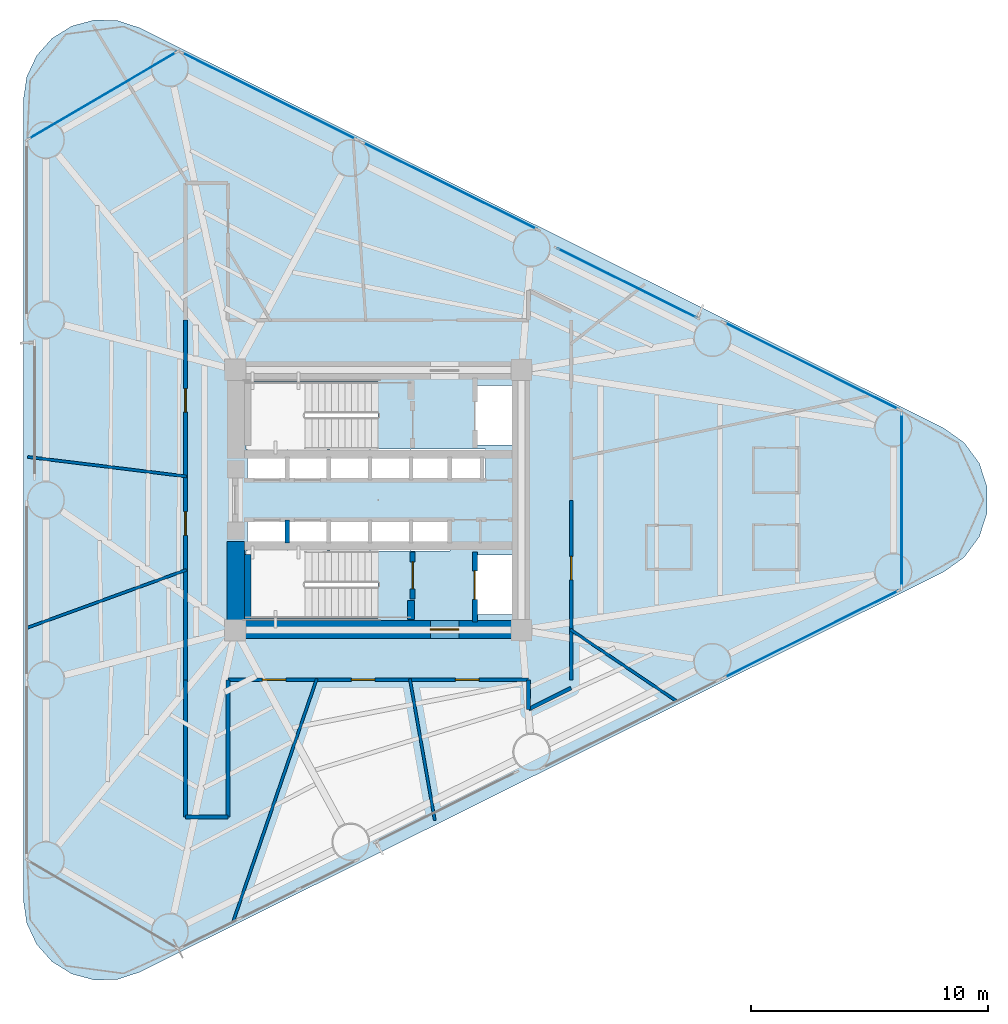
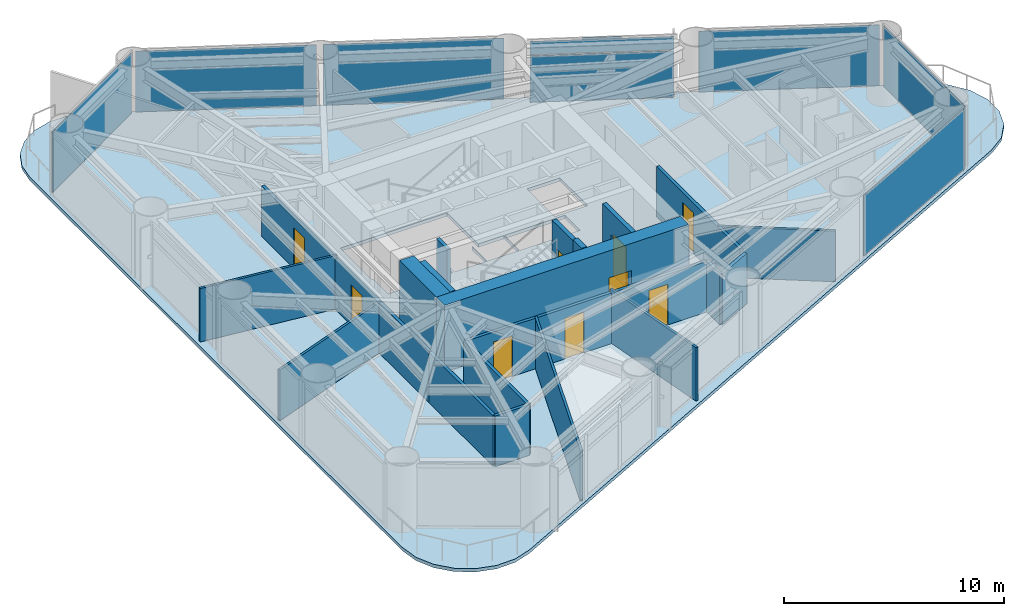
# One storey, part 5 of 11: 20 walls, 9 doors, 9 plates, 1 slab, 9 openings, 7 elements without a shape of their own.
"""IFC4 building model written with IfcOpenShell, lengths in metres."""

from ifc_helpers import new_model, si_unit, direction, frame, frame_2d, origin, origin_2d, place, context, subcontext, project, spatial, polyline, rectangle, outline, extrude, source, transform, mapped, material, layer, layer_set, type_object, element, fill, aggregate, save


model = new_model("IFC4")

# Units and contexts
model_context = context("Model", 3, precision=1e-05, world=origin(), true_north=direction((0.0, 1.0)))
body_context = subcontext(model_context, "Body", "Model", "MODEL_VIEW")
ifc_project = project(units=[si_unit("LENGTHUNIT", "METRE"), si_unit("AREAUNIT", "SQUARE_METRE"), si_unit("VOLUMEUNIT", "CUBIC_METRE"), si_unit("PLANEANGLEUNIT", "RADIAN"), si_unit("MASSUNIT", "GRAM", prefix="KILO")], contexts=[model_context])

# Site, building, storey
site_placement = place(None, origin())
site = spatial("IfcSite", under=ifc_project, at=site_placement, CompositionType="ELEMENT")
building_placement = place(site_placement, origin())
building = spatial("IfcBuilding", under=site, at=building_placement, Name="Yunling Apex Tower", CompositionType="ELEMENT")
storey_placement = place(building_placement, frame((0.0, 0.0, 42.300048828125)))
storey = spatial("IfcBuildingStorey", under=building, at=storey_placement, Name="L12", CompositionType="ELEMENT", Elevation=42.300048828125)

# Slab
ifc_material_1 = material(Name="Concrete C40", Category="concrete")
ifc_layer_1 = layer(ifc_material_1, 0.179931640625)
ifc_layer_set_1 = layer_set([ifc_layer_1], Name="Concrete C40")
slab_type = type_object("IfcSlabType", Name="SL-FLR-1", PredefinedType="FLOOR", material=ifc_layer_set_1)
slab_placement = place(storey_placement, frame((0.0, 0.0, -0.18505859375)))
element("IfcSlab", 1, at=slab_placement, inside=storey, type_object=slab_type, Name="L12 Composite Tower Floor Slab", PredefinedType="FLOOR", context=body_context, shape_type="SweptSolid", body=[
    extrude(outline(polyline([(-15.001953125, -16.909912109375), (-14.859619140625, -17.88330078125), (-14.444580078125, -18.775390625), (-13.79150390625, -19.510986328125), (-12.955078125, -20.029052734375), (-12.00537109375, -20.285888671875), (-11.02197265625, -20.260009765625), (-10.0869140625, -19.953857421875), (23.88818359375, -3.043701171875), (24.76123046875, -2.42041015625), (25.396484375, -1.555908203125), (25.730712890625, -0.536376953125), (25.730712890625, 0.536376953125), (25.396484375, 1.555908203125), (24.76123046875, 2.42041015625), (23.88818359375, 3.043701171875), (-10.0869140625, 19.953857421875), (-11.02197265625, 20.260009765625), (-12.00537109375, 20.285888671875), (-12.955078125, 20.029052734375), (-13.79150390625, 19.510986328125), (-14.444580078125, 18.775390625), (-14.859619140625, 17.88330078125), (-15.001953125, 16.909912109375), (-15.001953125, -16.909912109375)]), holes=[polyline([(5.81005859375, -2.320068359375), (5.81005859375, -4.840087890625), (4.090087890625, -4.840087890625), (4.090087890625, -2.320068359375), (5.81005859375, -2.320068359375)]), polyline([(5.81005859375, 4.840087890625), (5.81005859375, 2.320068359375), (4.090087890625, 2.320068359375), (4.090087890625, 4.840087890625), (5.81005859375, 4.840087890625)]), polyline([(1.364990234375, 2.1650390625), (4.534912109375, 2.1650390625), (4.534912109375, 0.794921875), (1.364990234375, 0.794921875), (1.364990234375, 2.1650390625)]), polyline([(3.034912109375, -0.794921875), (3.034912109375, -2.1650390625), (1.364990234375, -2.1650390625), (1.364990234375, -0.794921875), (3.034912109375, -0.794921875)]), polyline([(-5.534912109375, -0.794921875), (-3.864990234375, -0.794921875), (-3.864990234375, -2.139892578125), (-3.8349609375, -2.139892578125), (-3.8349609375, -0.794921875), (-2.1650390625, -0.794921875), (-2.1650390625, -2.139892578125), (-2.034912109375, -2.139892578125), (-2.034912109375, -0.794921875), (-0.364990234375, -0.794921875), (-0.364990234375, -2.139892578125), (-0.3349609375, -2.139892578125), (-0.3349609375, -0.794921875), (1.3349609375, -0.794921875), (1.3349609375, -2.1650390625), (-0.010009765625, -2.1650390625), (-0.010009765625, -5.010009765625), (-5.60009765625, -5.010009765625), (-5.60009765625, -2.139892578125), (-5.534912109375, -2.139892578125), (-5.534912109375, -0.794921875)]), polyline([(-5.60009765625, 2.139892578125), (-5.60009765625, 5.010009765625), (-0.010009765625, 5.010009765625), (-0.010009765625, 2.1650390625), (1.3349609375, 2.1650390625), (1.3349609375, 0.794921875), (-0.3349609375, 0.794921875), (-0.3349609375, 2.139892578125), (-0.364990234375, 2.139892578125), (-0.364990234375, 0.794921875), (-2.034912109375, 0.794921875), (-2.034912109375, 2.139892578125), (-2.1650390625, 2.139892578125), (-2.1650390625, 0.794921875), (-3.8349609375, 0.794921875), (-3.8349609375, 2.139892578125), (-3.864990234375, 2.139892578125), (-3.864990234375, 0.794921875), (-5.534912109375, 0.794921875), (-5.534912109375, 2.139892578125), (-5.60009765625, 2.139892578125)])]), origin(), (0.0, 0.0, 1.0), 0.18505859375),
])

# Curtain wall, plate
ifc_material_2 = material(Name="Bronze anodised aluminium", Category="aluminium")
ifc_layer_2 = layer(ifc_material_2, 0.260009765625)
ifc_layer_set_2 = layer_set([ifc_layer_2], Name="Bronze anodised aluminium")
curtain_wall_type = type_object("IfcCurtainWallType", Name="CW-SYS-2", PredefinedType="NOTDEFINED", material=ifc_layer_set_2)
curtain_wall_1_placement = place(storey_placement, origin())
curtain_wall_1 = element("IfcCurtainWall", 2, at=curtain_wall_1_placement, inside=storey, type_object=curtain_wall_type, Name="CW-L12-F1-B4", PredefinedType="NOTDEFINED")
ifc_material_3 = material(Name="Bronze tinted low-E glass", Category="glass")
ifc_layer_3 = layer(ifc_material_3, 0.033935546875)
ifc_layer_set_3 = layer_set([ifc_layer_3], Name="Bronze tinted low-E glass")
plate_type_1 = type_object("IfcPlateType", Name="CW-PNL-2", PredefinedType="CURTAIN_PANEL", material=ifc_layer_set_3)
shared_shape_1 = source(origin(), body_context, "Body", "SweptSolid", [
    extrude(rectangle(XDim=8.225341796875, YDim=0.033935546875, at=origin_2d()), origin(), (0.0, 0.0, 1.0), 3.361572265625),
])
plate_1_placement = place(storey_placement, frame((18.304931640625, -5.666259765625, 0.07666015625), z_axis=(0.0, 0.0, 1.0), x_axis=(0.895242031011, 0.445580190214, 0.0)))
plate_1 = element("IfcPlate", 3, at=plate_1_placement, type_object=plate_type_1, Name="CW-SYS-2 panel 1.1", PredefinedType="CURTAIN_PANEL", context=body_context, shape_type="MappedRepresentation", body=[
    mapped(shared_shape_1, transform((0.0, 0.0, 0.0), scale=1.0)),
])
aggregate(curtain_wall_1, [plate_1])

curtain_wall_2_placement = place(storey_placement, origin())
curtain_wall_2 = element("IfcCurtainWall", 4, at=curtain_wall_2_placement, inside=storey, type_object=curtain_wall_type, Name="CW-L12-F2-B1", PredefinedType="NOTDEFINED")
plate_2_placement = place(storey_placement, frame((18.304931640625, 5.666259765625, 0.07666015625), z_axis=(0.0, 0.0, 1.0), x_axis=(-0.895242031011, 0.445580190214, 0.0)))
plate_2 = element("IfcPlate", 5, at=plate_2_placement, type_object=plate_type_1, Name="CW-SYS-2 panel 1.1", PredefinedType="CURTAIN_PANEL", context=body_context, shape_type="MappedRepresentation", body=[
    mapped(shared_shape_1, transform((0.0, 0.0, 0.0), scale=1.0)),
])
aggregate(curtain_wall_2, [plate_2])

curtain_wall_3_placement = place(storey_placement, origin())
curtain_wall_3 = element("IfcCurtainWall", 6, at=curtain_wall_3_placement, inside=storey, type_object=curtain_wall_type, Name="CW-L12-F2-B3", PredefinedType="NOTDEFINED")
plate_3_placement = place(storey_placement, frame((3.01611328125, 13.27587890625, 0.07666015625), z_axis=(0.0, 0.0, 1.0), x_axis=(-0.895242031011, 0.445580190214, 0.0)))
plate_3 = element("IfcPlate", 7, at=plate_3_placement, type_object=plate_type_1, Name="CW-SYS-2 panel 1.1", PredefinedType="CURTAIN_PANEL", context=body_context, shape_type="MappedRepresentation", body=[
    mapped(shared_shape_1, transform((0.0, 0.0, 0.0), scale=1.0)),
])
aggregate(curtain_wall_3, [plate_3])

curtain_wall_4_placement = place(storey_placement, origin())
curtain_wall_4 = element("IfcCurtainWall", 8, at=curtain_wall_4_placement, inside=storey, type_object=curtain_wall_type, Name="CW-L12-F2-B4", PredefinedType="NOTDEFINED")
plate_4_placement = place(storey_placement, frame((-4.62841796875, 17.08056640625, 0.07666015625), z_axis=(0.0, 0.0, 1.0), x_axis=(-0.895246791748, 0.445570625003, 0.0)))
plate_4 = element("IfcPlate", 9, at=plate_4_placement, type_object=plate_type_1, Name="CW-SYS-2 panel 1.1", PredefinedType="CURTAIN_PANEL", context=body_context, shape_type="MappedRepresentation", body=[
    mapped(shared_shape_1, transform((0.0, 0.0, 0.0), scale=1.0)),
])
aggregate(curtain_wall_4, [plate_4])

curtain_wall_5_placement = place(storey_placement, origin())
curtain_wall_5 = element("IfcCurtainWall", 10, at=curtain_wall_5_placement, inside=storey, type_object=curtain_wall_type, Name="CW-L12-CRN1", PredefinedType="NOTDEFINED")
shared_shape_2 = source(origin(), body_context, "Body", "SweptSolid", [
    extrude(rectangle(XDim=7.338623046875, YDim=0.033935546875, at=origin_2d()), origin(), (0.0, 0.0, 1.0), 3.361572265625),
])
plate_5_placement = place(storey_placement, frame((22.1181640625, 0.0, 0.07666015625), z_axis=(0.0, 0.0, 1.0), x_axis=(0.0, 1.0, 0.0)))
plate_5 = element("IfcPlate", 11, at=plate_5_placement, type_object=plate_type_1, Name="CW-SYS-2 panel 1.1", PredefinedType="CURTAIN_PANEL", context=body_context, shape_type="MappedRepresentation", body=[
    mapped(shared_shape_2, transform((0.0, 0.0, 0.0), scale=1.0)),
])
aggregate(curtain_wall_5, [plate_5])

curtain_wall_6_placement = place(storey_placement, origin())
curtain_wall_6 = element("IfcCurtainWall", 12, at=curtain_wall_6_placement, inside=storey, type_object=curtain_wall_type, Name="CW-L12-CRN2", PredefinedType="NOTDEFINED")
shared_shape_3 = source(origin(), body_context, "Body", "SweptSolid", [
    extrude(rectangle(XDim=7.247314453125, YDim=0.033935546875, at=origin_2d()), origin(), (0.0, 0.0, 1.0), 3.361572265625),
])
plate_6_placement = place(storey_placement, frame((-11.650634765625, 17.092041015625, 0.07666015625), z_axis=(0.0, 0.0, 1.0), x_axis=(-0.86241873323, -0.506195543811, 0.0)))
plate_6 = element("IfcPlate", 13, at=plate_6_placement, type_object=plate_type_1, Name="CW-SYS-2 panel 1.1", PredefinedType="CURTAIN_PANEL", context=body_context, shape_type="MappedRepresentation", body=[
    mapped(shared_shape_3, transform((0.0, 0.0, 0.0), scale=1.0)),
])
aggregate(curtain_wall_6, [plate_6])

# Curtain wall, plates
curtain_wall_7_placement = place(storey_placement, origin())
curtain_wall_7 = element("IfcCurtainWall", 14, at=curtain_wall_7_placement, inside=storey, type_object=curtain_wall_type, Name="CW-L12-F2-B2", PredefinedType="NOTDEFINED")
shared_shape_4 = source(origin(), body_context, "Body", "SweptSolid", [
    extrude(rectangle(XDim=6.54541015625, YDim=0.033935546875, at=origin_2d()), origin(), (0.0, 0.0, 1.0), 2.560302734375),
])
plate_7_placement = place(storey_placement, frame((10.509033203125, 9.166748046875, 0.07666015625), z_axis=(0.0, 0.0, 1.0), x_axis=(-0.895243732344, 0.445576771947, 0.0)))
plate_7 = element("IfcPlate", 15, at=plate_7_placement, type_object=plate_type_1, Name="CW-SYS-2 panel 1.1", PredefinedType="CURTAIN_PANEL", context=body_context, shape_type="MappedRepresentation", body=[
    mapped(shared_shape_4, transform((0.0, 0.0, 0.0), scale=1.0)),
])
shared_shape_5 = source(origin(), body_context, "Body", "SweptSolid", [
    extrude(rectangle(XDim=6.54541015625, YDim=0.033935546875, at=origin_2d()), origin(), (0.0, 0.0, 1.0), 0.732666015625),
])
plate_8_placement = place(storey_placement, frame((10.509033203125, 9.166748046875, 2.70556640625), z_axis=(0.0, 0.0, 1.0), x_axis=(-0.895243732344, 0.445576771947, 0.0)))
plate_8 = element("IfcPlate", 16, at=plate_8_placement, type_object=plate_type_1, Name="CW-SYS-2 panel 1.2", PredefinedType="CURTAIN_PANEL", context=body_context, shape_type="MappedRepresentation", body=[
    mapped(shared_shape_5, transform((0.0, 0.0, 0.0), scale=1.0)),
])
aggregate(curtain_wall_7, [plate_7, plate_8])

# Plate
ifc_layer_4 = layer(ifc_material_2, 0.011962890625)
ifc_layer_set_4 = layer_set([ifc_layer_4], Name="Bronze anodised aluminium")
plate_type_2 = type_object("IfcPlateType", Name="SP-SHT-1", PredefinedType="SHEET", material=ifc_layer_set_4)
shared_shape_6 = source(origin(), body_context, "Body", "SweptSolid", [
    extrude(rectangle(XDim=1.800048828125, YDim=0.02392578125, at=origin_2d()), origin(), (0.0, 0.0, 1.0), 0.43994140625),
])
plate_9_placement = place(storey_placement, frame((10.509033203125, 9.166748046875, 3.114990234375), z_axis=(0.0, 0.0, 1.0), x_axis=(-0.895245648325, 0.445572922377, 0.0)))
element("IfcPlate", 17, at=plate_9_placement, inside=storey, type_object=plate_type_2, Name="SP-GRV-L12-F2", PredefinedType="SHEET", context=body_context, shape_type="MappedRepresentation", body=[
    mapped(shared_shape_6, transform((0.0, 0.0, 0.0), scale=1.0)),
])

# Wall, opening, door
ifc_material_4 = material(Name="Concrete C60", Category="concrete")
ifc_layer_5 = layer(ifc_material_4, 0.75)
ifc_layer_set_5 = layer_set([ifc_layer_5], Name="Concrete C60")
wall_type_1 = type_object("IfcWallType", Name="WL-COR-1", PredefinedType="SHEAR", material=ifc_layer_set_5)
wall_1_placement = place(storey_placement, frame((-6.39990234375, -5.47509765625, 0.0), z_axis=(0.0, 0.0, 1.0), x_axis=(1.0, 0.0, 0.0)))
wall_1 = element("IfcWall", 18, at=wall_1_placement, inside=storey, type_object=wall_type_1, Name="L12 South Core Shear Wall", PredefinedType="SHEAR", context=body_context, shape_type="SweptSolid", body=[
    extrude(rectangle(XDim=12.7998046875, YDim=0.75, at=frame_2d((6.39990234375, 0.0))), origin(), (0.0, 0.0, 1.0), 3.699951171875),
])
opening_1_placement = place(wall_1_placement, frame((8.60009765625, 0.0, 0.0)))
opening_1 = element("IfcOpeningElement", 19, at=opening_1_placement, cuts=wall_1, Name="Opening DR-FFL-1", PredefinedType="OPENING", context=body_context, shape_type="SweptSolid", body=[
    extrude(rectangle(XDim=1.199951171875, YDim=2.199951171875, at=frame_2d((0.60009765625, 1.10009765625))), frame((0.0, 0.385009765625, 0.0), z_axis=(0.0, -1.0, 0.0), x_axis=(1.0, 0.0, 0.0)), (0.0, 0.0, 1.0), 0.77001953125),
])
ifc_material_5 = material(Name="Steel Q355B", Category="steel")
door_type_1 = type_object("IfcDoorType", Name="DR-FFL-1", OperationType="NOTDEFINED", PredefinedType="DOOR", material=ifc_material_5)
door_1_placement = place(opening_1_placement, origin())
door_1 = element("IfcDoor", 20, at=door_1_placement, inside=storey, type_object=door_type_1, Name="L12 South Firefighting Lobby Door", OperationType="SINGLE_SWING_RIGHT", OverallHeight=2.199951171875, OverallWidth=1.199951171875, PredefinedType="DOOR", context=body_context, shape_type="SweptSolid", body=[
    extrude(rectangle(XDim=1.199951171875, YDim=2.199951171875, at=frame_2d((0.60009765625, 1.10009765625))), frame((0.0, 0.02490234375, 0.0), z_axis=(0.0, -1.0, 0.0), x_axis=(1.0, 0.0, 0.0)), (0.0, 0.0, 1.0), 0.050048828125),
])
fill(opening_1, door_1)

# Walls
wall_2_placement = place(storey_placement, frame((-6.02490234375, -5.10009765625, 0.0), z_axis=(0.0, 0.0, 1.0), x_axis=(0.0, 1.0, 0.0)))
element("IfcWall", 21, at=wall_2_placement, inside=storey, type_object=wall_type_1, Name="L12 West-South Core Shear Wall", PredefinedType="SHEAR", context=body_context, shape_type="SweptSolid", body=[
    extrude(rectangle(XDim=3.35009765625, YDim=0.75, at=frame_2d((1.675048828125, 0.0))), origin(), (0.0, 0.0, 1.0), 3.699951171875),
])
ifc_layer_6 = layer(ifc_material_1, 0.280029296875)
ifc_layer_set_6 = layer_set([ifc_layer_6], Name="Concrete C40")
wall_type_2 = type_object("IfcWallType", Name="WL-COR-8", PredefinedType="SHEAR", material=ifc_layer_set_6)
wall_3_placement = place(storey_placement, frame((-5.52001953125, -5.050048828125, 0.0), z_axis=(0.0, 0.0, 1.0), x_axis=(0.0, 1.0, 0.0)))
element("IfcWall", 22, at=wall_3_placement, inside=storey, type_object=wall_type_2, Name="L12 ST-2 West Landing Bearing Wall", PredefinedType="SHEAR", context=body_context, shape_type="SweptSolid", body=[
    extrude(rectangle(XDim=2.75, YDim=0.280029296875, at=frame_2d((1.375, 0.0))), origin(), (0.0, 0.0, 1.0), 3.699951171875),
])
wall_4_placement = place(storey_placement, frame((1.3798828125, -5.050048828125, 0.0), z_axis=(0.0, 0.0, 1.0), x_axis=(0.0, 1.0, 0.0)))
element("IfcWall", 23, at=wall_4_placement, inside=storey, type_object=wall_type_2, Name="L12 ST-2 East Landing Bearing Pier", PredefinedType="SHEAR", context=body_context, shape_type="SweptSolid", body=[
    extrude(rectangle(XDim=0.800048828125, YDim=0.280029296875, at=frame_2d((0.39990234375, 0.0))), origin(), (0.0, 0.0, 1.0), 3.699951171875),
])

# Wall, openings, doors
ifc_material_6 = material(Name="Gypsum board acoustic partition")
ifc_layer_7 = layer(ifc_material_6, 0.159912109375)
ifc_layer_set_7 = layer_set([ifc_layer_7], Name="Gypsum board acoustic partition")
wall_type_3 = type_object("IfcWallType", Name="WL-PRT-1", PredefinedType="PARTITIONING", material=ifc_layer_set_7)
wall_5_placement = place(storey_placement, frame((6.35009765625, -7.60009765625, 0.0), z_axis=(0.0, 0.0, 1.0), x_axis=(-1.0, 0.0, 0.0)))
wall_5 = element("IfcWall", 24, at=wall_5_placement, inside=storey, type_object=wall_type_3, Name="WL-CORR-L12-01", PredefinedType="PARTITIONING", context=body_context, shape_type="SweptSolid", body=[
    extrude(rectangle(XDim=12.7001953125, YDim=0.159912109375, at=frame_2d((6.35009765625, 0.0))), origin(), (0.0, 0.0, 1.0), 2.800048828125),
])
opening_2_placement = place(wall_5_placement, frame((2.09130859375, 0.0, 0.0)))
opening_2 = element("IfcOpeningElement", 25, at=opening_2_placement, cuts=wall_5, Name="Opening DR-OFF-1", PredefinedType="OPENING", context=body_context, shape_type="SweptSolid", body=[
    extrude(rectangle(XDim=1.0, YDim=2.25, at=frame_2d((0.5, 1.125))), frame((0.0, 0.08984375, 0.0), z_axis=(0.0, -1.0, 0.0), x_axis=(1.0, 0.0, 0.0)), (0.0, 0.0, 1.0), 0.179931640625),
])
opening_3_placement = place(wall_5_placement, frame((6.49365234375, 0.0, 0.0)))
opening_3 = element("IfcOpeningElement", 26, at=opening_3_placement, cuts=wall_5, Name="Opening DR-OFF-1", PredefinedType="OPENING", context=body_context, shape_type="SweptSolid", body=[
    extrude(rectangle(XDim=1.0, YDim=2.25, at=frame_2d((0.5, 1.125))), frame((0.0, 0.08984375, 0.0), z_axis=(0.0, -1.0, 0.0), x_axis=(1.0, 0.0, 0.0)), (0.0, 0.0, 1.0), 0.179931640625),
])
opening_4_placement = place(wall_5_placement, frame((10.255615234375, 0.0, 0.0)))
opening_4 = element("IfcOpeningElement", 27, at=opening_4_placement, cuts=wall_5, Name="Opening DR-OFF-1", PredefinedType="OPENING", context=body_context, shape_type="SweptSolid", body=[
    extrude(rectangle(XDim=1.0, YDim=2.25, at=frame_2d((0.5, 1.125))), frame((0.0, 0.08984375, 0.0), z_axis=(0.0, -1.0, 0.0), x_axis=(1.0, 0.0, 0.0)), (0.0, 0.0, 1.0), 0.179931640625),
])
door_type_2 = type_object("IfcDoorType", Name="DR-OFF-1", OperationType="NOTDEFINED", PredefinedType="DOOR", material=ifc_material_2)
door_2_placement = place(opening_2_placement, origin())
door_2 = element("IfcDoor", 28, at=door_2_placement, inside=storey, type_object=door_type_2, Name="L12 Tea Point Kitchen Door", OperationType="SINGLE_SWING_LEFT", OverallHeight=2.25, OverallWidth=1.0, PredefinedType="DOOR", context=body_context, shape_type="SweptSolid", body=[
    extrude(rectangle(XDim=1.0, YDim=2.25, at=frame_2d((0.5, 1.125))), frame((0.0, 0.02490234375, 0.0), z_axis=(0.0, -1.0, 0.0), x_axis=(1.0, 0.0, 0.0)), (0.0, 0.0, 1.0), 0.050048828125),
])
fill(opening_2, door_2)
door_3_placement = place(opening_3_placement, origin())
door_3 = element("IfcDoor", 29, at=door_3_placement, inside=storey, type_object=door_type_2, Name="L12 Seminar Meeting Room Door", OperationType="SINGLE_SWING_RIGHT", OverallHeight=2.25, OverallWidth=1.0, PredefinedType="DOOR", context=body_context, shape_type="SweptSolid", body=[
    extrude(rectangle(XDim=1.0, YDim=2.25, at=frame_2d((0.5, 1.125))), frame((0.0, 0.02490234375, 0.0), z_axis=(0.0, -1.0, 0.0), x_axis=(1.0, 0.0, 0.0)), (0.0, 0.0, 1.0), 0.050048828125),
])
fill(opening_3, door_3)
door_4_placement = place(opening_4_placement, origin())
door_4 = element("IfcDoor", 30, at=door_4_placement, inside=storey, type_object=door_type_2, Name="L12 Client Reception Foyer Door", OperationType="SINGLE_SWING_LEFT", OverallHeight=2.25, OverallWidth=1.0, PredefinedType="DOOR", context=body_context, shape_type="SweptSolid", body=[
    extrude(rectangle(XDim=1.0, YDim=2.25, at=frame_2d((0.5, 1.125))), frame((0.0, 0.02490234375, 0.0), z_axis=(0.0, -1.0, 0.0), x_axis=(1.0, 0.0, 0.0)), (0.0, 0.0, 1.0), 0.050048828125),
])
fill(opening_4, door_4)

# Walls
wall_6_placement = place(storey_placement, frame((-6.35009765625, -7.60009765625, 0.0), z_axis=(0.0, 0.0, 1.0), x_axis=(0.0, -1.0, 0.0)))
element("IfcWall", 31, at=wall_6_placement, inside=storey, type_object=wall_type_3, Name="WL-CORR-L12-02", PredefinedType="PARTITIONING", context=body_context, shape_type="SweptSolid", body=[
    extrude(rectangle(XDim=5.7998046875, YDim=0.159912109375, at=frame_2d((2.89990234375, 0.0))), origin(), (0.0, 0.0, 1.0), 2.800048828125),
])
wall_7_placement = place(storey_placement, frame((-6.35009765625, -13.39990234375, 0.0), z_axis=(0.0, 0.0, 1.0), x_axis=(-1.0, 0.0, 0.0)))
element("IfcWall", 32, at=wall_7_placement, inside=storey, type_object=wall_type_3, Name="WL-CORR-L12-03", PredefinedType="PARTITIONING", context=body_context, shape_type="SweptSolid", body=[
    extrude(rectangle(XDim=1.7998046875, YDim=0.159912109375, at=frame_2d((0.89990234375, 0.0))), origin(), (0.0, 0.0, 1.0), 2.800048828125),
])
wall_8_placement = place(storey_placement, frame((-8.14990234375, -13.39990234375, 0.0), z_axis=(0.0, 0.0, 1.0), x_axis=(0.0, 1.0, 0.0)))
element("IfcWall", 33, at=wall_8_placement, inside=storey, type_object=wall_type_3, Name="WL-CORR-L12-04", PredefinedType="PARTITIONING", context=body_context, shape_type="SweptSolid", body=[
    extrude(rectangle(XDim=5.7998046875, YDim=0.159912109375, at=frame_2d((2.89990234375, 0.0))), origin(), (0.0, 0.0, 1.0), 2.800048828125),
])

# Wall, openings, doors
wall_9_placement = place(storey_placement, frame((-8.14990234375, -7.60009765625, 0.0), z_axis=(0.0, 0.0, 1.0), x_axis=(0.0, 1.0, 0.0)))
wall_9 = element("IfcWall", 34, at=wall_9_placement, inside=storey, type_object=wall_type_3, Name="WL-CORR-L12-05", PredefinedType="PARTITIONING", context=body_context, shape_type="SweptSolid", body=[
    extrude(rectangle(XDim=15.2001953125, YDim=0.159912109375, at=frame_2d((7.60009765625, 0.0))), origin(), (0.0, 0.0, 1.0), 2.800048828125),
])
opening_5_placement = place(wall_9_placement, frame((6.109375, 0.0, 0.0)))
opening_5 = element("IfcOpeningElement", 35, at=opening_5_placement, cuts=wall_9, Name="Opening DR-OFF-1", PredefinedType="OPENING", context=body_context, shape_type="SweptSolid", body=[
    extrude(rectangle(XDim=1.0, YDim=2.25, at=frame_2d((0.5, 1.125))), frame((0.0, 0.08984375, 0.0), z_axis=(0.0, -1.0, 0.0), x_axis=(1.0, 0.0, 0.0)), (0.0, 0.0, 1.0), 0.179931640625),
])
opening_6_placement = place(wall_9_placement, frame((11.3115234375, 0.0, 0.0)))
opening_6 = element("IfcOpeningElement", 36, at=opening_6_placement, cuts=wall_9, Name="Opening DR-OFF-1", PredefinedType="OPENING", context=body_context, shape_type="SweptSolid", body=[
    extrude(rectangle(XDim=1.0, YDim=2.25, at=frame_2d((0.5, 1.125))), frame((0.0, 0.08984375, 0.0), z_axis=(0.0, -1.0, 0.0), x_axis=(1.0, 0.0, 0.0)), (0.0, 0.0, 1.0), 0.179931640625),
])
door_5_placement = place(opening_5_placement, origin())
door_5 = element("IfcDoor", 37, at=door_5_placement, inside=storey, type_object=door_type_2, Name="L12 Client Reception Foyer Door", OperationType="SINGLE_SWING_RIGHT", OverallHeight=2.25, OverallWidth=1.0, PredefinedType="DOOR", context=body_context, shape_type="SweptSolid", body=[
    extrude(rectangle(XDim=1.0, YDim=2.25, at=frame_2d((0.5, 1.125))), frame((0.0, 0.02490234375, 0.0), z_axis=(0.0, -1.0, 0.0), x_axis=(1.0, 0.0, 0.0)), (0.0, 0.0, 1.0), 0.050048828125),
])
fill(opening_5, door_5)
door_6_placement = place(opening_6_placement, origin())
door_6 = element("IfcDoor", 38, at=door_6_placement, inside=storey, type_object=door_type_2, Name="L12 Client Reception Foyer Door", OperationType="SINGLE_SWING_LEFT", OverallHeight=2.25, OverallWidth=1.0, PredefinedType="DOOR", context=body_context, shape_type="SweptSolid", body=[
    extrude(rectangle(XDim=1.0, YDim=2.25, at=frame_2d((0.5, 1.125))), frame((0.0, 0.02490234375, 0.0), z_axis=(0.0, -1.0, 0.0), x_axis=(1.0, 0.0, 0.0)), (0.0, 0.0, 1.0), 0.050048828125),
])
fill(opening_6, door_6)

# Wall, opening, door
wall_10_placement = place(storey_placement, frame((8.14990234375, -0.02001953125, 0.0), z_axis=(0.0, 0.0, 1.0), x_axis=(0.0, -1.0, 0.0)))
wall_10 = element("IfcWall", 39, at=wall_10_placement, inside=storey, type_object=wall_type_3, Name="WL-CORR-L12-14", PredefinedType="PARTITIONING", context=body_context, shape_type="SweptSolid", body=[
    extrude(rectangle(XDim=7.580078125, YDim=0.159912109375, at=frame_2d((3.7900390625, 0.0))), origin(), (0.0, 0.0, 1.0), 2.800048828125),
])
opening_7_placement = place(wall_10_placement, frame((2.359130859375, 0.0, 0.0)))
opening_7 = element("IfcOpeningElement", 40, at=opening_7_placement, cuts=wall_10, Name="Opening DR-OFF-1", PredefinedType="OPENING", context=body_context, shape_type="SweptSolid", body=[
    extrude(rectangle(XDim=1.0, YDim=2.25, at=frame_2d((0.5, 1.125))), frame((0.0, 0.08984375, 0.0), z_axis=(0.0, -1.0, 0.0), x_axis=(1.0, 0.0, 0.0)), (0.0, 0.0, 1.0), 0.179931640625),
])
door_7_placement = place(opening_7_placement, origin())
door_7 = element("IfcDoor", 41, at=door_7_placement, inside=storey, type_object=door_type_2, Name="L12 Service Foyer Lounge Door", OperationType="SINGLE_SWING_LEFT", OverallHeight=2.25, OverallWidth=1.0, PredefinedType="DOOR", context=body_context, shape_type="SweptSolid", body=[
    extrude(rectangle(XDim=1.0, YDim=2.25, at=frame_2d((0.5, 1.125))), frame((0.0, 0.02490234375, 0.0), z_axis=(0.0, -1.0, 0.0), x_axis=(1.0, 0.0, 0.0)), (0.0, 0.0, 1.0), 0.050048828125),
])
fill(opening_7, door_7)

# Walls
wall_11_placement = place(storey_placement, frame((8.14990234375, -7.950439453125, 0.0), z_axis=(0.0, 0.0, 1.0), x_axis=(-0.895251454268, -0.445561256879, 0.0)))
element("IfcWall", 42, at=wall_11_placement, inside=storey, type_object=wall_type_3, Name="WL-CORR-L12-16", PredefinedType="PARTITIONING", context=body_context, shape_type="SweptSolid", body=[
    extrude(rectangle(XDim=2.010498046875, YDim=0.159912109375, at=frame_2d((1.00537109375, 0.0))), origin(), (0.0, 0.0, 1.0), 2.800048828125),
])
wall_12_placement = place(storey_placement, frame((6.35009765625, -8.84619140625, 0.0), z_axis=(0.0, 0.0, 1.0), x_axis=(0.0, 1.0, 0.0)))
element("IfcWall", 43, at=wall_12_placement, inside=storey, type_object=wall_type_3, Name="WL-CORR-L12-17", PredefinedType="PARTITIONING", context=body_context, shape_type="SweptSolid", body=[
    extrude(rectangle(XDim=1.24609375, YDim=0.159912109375, at=frame_2d((0.623046875, 0.0))), origin(), (0.0, 0.0, 1.0), 2.800048828125),
])
ifc_layer_8 = layer(ifc_material_6, 0.1201171875)
ifc_layer_set_8 = layer_set([ifc_layer_8], Name="Gypsum board acoustic partition")
wall_type_4 = type_object("IfcWallType", Name="WL-PRT-3", PredefinedType="PARTITIONING", material=ifc_layer_set_8)
wall_13_placement = place(storey_placement, frame((-8.110107421875, 0.995849609375, 0.0), z_axis=(0.0, 0.0, 1.0), x_axis=(-0.992548741741, 0.121848246885, 0.0)))
element("IfcWall", 44, at=wall_13_placement, inside=storey, type_object=wall_type_4, Name="WL-RAD-L12-05", PredefinedType="PARTITIONING", context=body_context, shape_type="SweptSolid", body=[
    extrude(rectangle(XDim=6.76220703125, YDim=0.1201171875, at=frame_2d((3.381103515625, 0.0))), origin(), (0.0, 0.0, 1.0), 2.9599609375),
])
wall_14_placement = place(storey_placement, frame((-8.110107421875, -2.951904296875, 0.0), z_axis=(0.0, 0.0, 1.0), x_axis=(-0.939695583315, -0.342012003734, 0.0)))
element("IfcWall", 45, at=wall_14_placement, inside=storey, type_object=wall_type_4, Name="WL-RAD-L12-06", PredefinedType="PARTITIONING", context=body_context, shape_type="SweptSolid", body=[
    extrude(rectangle(XDim=7.142578125, YDim=0.1201171875, at=frame_2d((3.5712890625, 0.0))), origin(), (0.0, 0.0, 1.0), 2.800048828125),
])
wall_15_placement = place(storey_placement, frame((-2.60302734375, -7.56005859375, 0.0), z_axis=(0.0, 0.0, 1.0), x_axis=(-0.325570875914, -0.945517638522, 0.0)))
element("IfcWall", 46, at=wall_15_placement, inside=storey, type_object=wall_type_4, Name="WL-RAD-L12-07", PredefinedType="PARTITIONING", context=body_context, shape_type="SweptSolid", body=[
    extrude(rectangle(XDim=10.80810546875, YDim=0.1201171875, at=frame_2d((5.404052734375, 0.0))), origin(), (0.0, 0.0, 1.0), 2.800048828125),
])
wall_16_placement = place(storey_placement, frame((1.3330078125, -7.56005859375, 0.0), z_axis=(0.0, 0.0, 1.0), x_axis=(0.173663844644, -0.984804990373, 0.0)))
element("IfcWall", 47, at=wall_16_placement, inside=storey, type_object=wall_type_4, Name="WL-RAD-L12-08", PredefinedType="PARTITIONING", context=body_context, shape_type="SweptSolid", body=[
    extrude(rectangle(XDim=6.075927734375, YDim=0.1201171875, at=frame_2d((3.0380859375, 0.0))), origin(), (0.0, 0.0, 1.0), 2.9599609375),
])
wall_17_placement = place(storey_placement, frame((8.110107421875, -5.47021484375, 0.0), z_axis=(0.0, 0.0, 1.0), x_axis=(0.829034436431, -0.559197552938, 0.0)))
element("IfcWall", 48, at=wall_17_placement, inside=storey, type_object=wall_type_4, Name="WL-RAD-L12-09", PredefinedType="PARTITIONING", context=body_context, shape_type="SweptSolid", body=[
    extrude(rectangle(XDim=5.376953125, YDim=0.1201171875, at=frame_2d((2.6884765625, 0.0))), origin(), (0.0, 0.0, 1.0), 2.800048828125),
])

# Wall, opening, door
ifc_material_7 = material(Name="Autoclaved aerated concrete masonry", Category="masonry")
ifc_layer_9 = layer(ifc_material_7, 0.219970703125)
ifc_layer_set_9 = layer_set([ifc_layer_9], Name="Autoclaved aerated concrete masonry")
wall_type_5 = type_object("IfcWallType", Name="WL-SHF-1", PredefinedType="PLUMBINGWALL", material=ifc_layer_set_9)
wall_18_placement = place(storey_placement, frame((1.449951171875, -4.179931640625, 0.0), z_axis=(0.0, 0.0, 1.0), x_axis=(0.0, 1.0, 0.0)))
wall_18 = element("IfcWall", 49, at=wall_18_placement, inside=storey, type_object=wall_type_5, Name="WL-ST2-E-L12", PredefinedType="PLUMBINGWALL", context=body_context, shape_type="SweptSolid", body=[
    extrude(rectangle(XDim=1.97998046875, YDim=0.219970703125, at=frame_2d((0.989990234375, 0.0))), origin(), (0.0, 0.0, 1.0), 3.494873046875),
])
opening_8_placement = place(wall_18_placement, frame((0.419921875, 0.0, 0.0)))
opening_8 = element("IfcOpeningElement", 50, at=opening_8_placement, cuts=wall_18, Name="Opening DR-ST-1", PredefinedType="OPENING", context=body_context, shape_type="SweptSolid", body=[
    extrude(rectangle(XDim=1.14990234375, YDim=2.14990234375, at=frame_2d((0.574951171875, 1.074951171875))), frame((0.0, 0.1201171875, 0.0), z_axis=(0.0, -1.0, 0.0), x_axis=(1.0, 0.0, 0.0)), (0.0, 0.0, 1.0), 0.239990234375),
])
door_type_3 = type_object("IfcDoorType", Name="DR-ST-1", OperationType="NOTDEFINED", PredefinedType="DOOR", material=ifc_material_5)
door_8_placement = place(opening_8_placement, origin())
door_8 = element("IfcDoor", 51, at=door_8_placement, inside=storey, type_object=door_type_3, Name="L12 Stair ST-2 Fire Door", OperationType="SINGLE_SWING_RIGHT", OverallHeight=2.14990234375, OverallWidth=1.14990234375, PredefinedType="DOOR", context=body_context, shape_type="SweptSolid", body=[
    extrude(rectangle(XDim=1.14990234375, YDim=2.14990234375, at=frame_2d((0.574951171875, 1.074951171875))), frame((0.0, 0.02490234375, 0.0), z_axis=(0.0, -1.0, 0.0), x_axis=(1.0, 0.0, 0.0)), (0.0, 0.0, 1.0), 0.050048828125),
])
fill(opening_8, door_8)

wall_19_placement = place(storey_placement, frame((4.080078125, -5.14990234375, 0.0), z_axis=(0.0, 0.0, 1.0), x_axis=(0.0, 1.0, 0.0)))
wall_19 = element("IfcWall", 52, at=wall_19_placement, inside=storey, type_object=wall_type_5, Name="WL-FFL2-W-L12", PredefinedType="PLUMBINGWALL", context=body_context, shape_type="SweptSolid", body=[
    extrude(rectangle(XDim=2.949951171875, YDim=0.219970703125, at=frame_2d((1.47509765625, 0.0))), origin(), (0.0, 0.0, 1.0), 3.494873046875),
])
opening_9_placement = place(wall_19_placement, frame((0.949951171875, 0.0, 0.0)))
opening_9 = element("IfcOpeningElement", 53, at=opening_9_placement, cuts=wall_19, Name="Opening LD-FFL-1", PredefinedType="OPENING", context=body_context, shape_type="SweptSolid", body=[
    extrude(rectangle(XDim=1.199951171875, YDim=2.25, at=frame_2d((0.60009765625, 1.125))), frame((0.0, 0.1201171875, 0.0), z_axis=(0.0, -1.0, 0.0), x_axis=(1.0, 0.0, 0.0)), (0.0, 0.0, 1.0), 0.239990234375),
])
door_type_4 = type_object("IfcDoorType", Name="LD-FFL-1", OperationType="DOUBLE_DOOR_SLIDING", PredefinedType="DOOR", material=ifc_material_5)
door_9_placement = place(opening_9_placement, origin())
door_9 = element("IfcDoor", 54, at=door_9_placement, inside=storey, type_object=door_type_4, Name="L12 Lift FFL-2 Landing Door", OperationType="DOUBLE_DOOR_SLIDING", OverallHeight=2.25, OverallWidth=1.199951171875, PredefinedType="DOOR", context=body_context, shape_type="SweptSolid", body=[
    extrude(rectangle(XDim=1.199951171875, YDim=2.25, at=frame_2d((0.60009765625, 1.125))), frame((0.0, 0.02490234375, 0.0), z_axis=(0.0, -1.0, 0.0), x_axis=(1.0, 0.0, 0.0)), (0.0, 0.0, 1.0), 0.050048828125),
])
fill(opening_9, door_9)

# Wall
ifc_layer_10 = layer(ifc_material_7, 0.179931640625)
ifc_layer_set_10 = layer_set([ifc_layer_10], Name="Autoclaved aerated concrete masonry")
wall_type_6 = type_object("IfcWallType", Name="WL-SHF-2", PredefinedType="PLUMBINGWALL", material=ifc_layer_set_10)
wall_20_placement = place(storey_placement, frame((-3.85009765625, -1.820068359375, 0.0), z_axis=(0.0, 0.0, 1.0), x_axis=(0.0, 1.0, 0.0)))
element("IfcWall", 55, at=wall_20_placement, inside=storey, type_object=wall_type_6, Name="WL-DIV-L34-L12", PredefinedType="PLUMBINGWALL", context=body_context, shape_type="SweptSolid", body=[
    extrude(rectangle(XDim=0.97998046875, YDim=0.179931640625, at=frame_2d((0.489990234375, 0.0))), origin(), (0.0, 0.0, 1.0), 3.494873046875),
])

save(model, "model.ifc")
